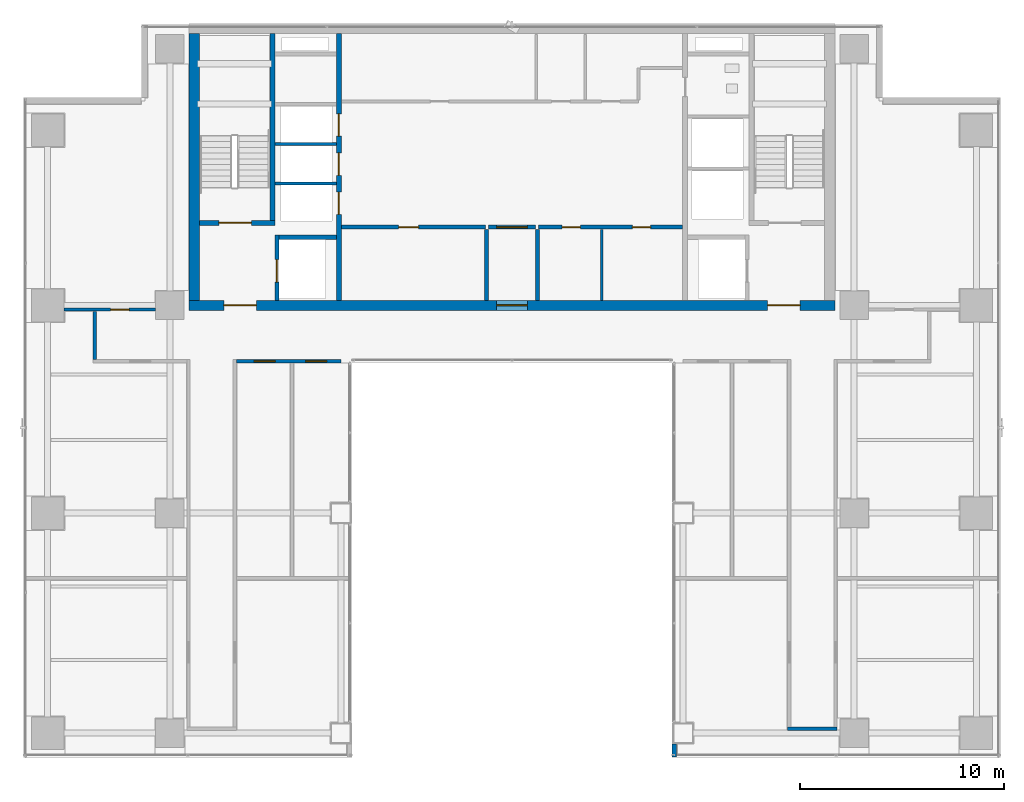
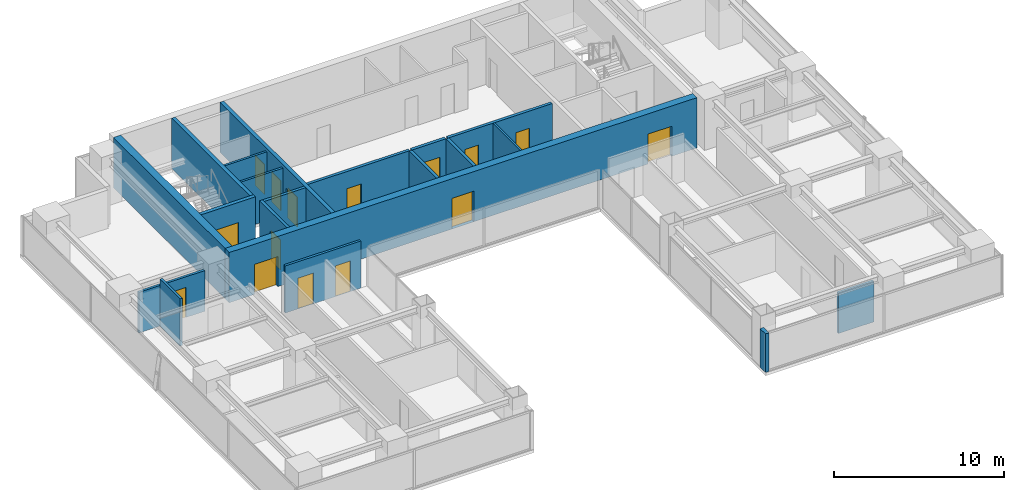
# One storey, part 24 of 29: 20 walls, 15 doors, 15 openings.
"""IFC4 building model written with IfcOpenShell, lengths in metres."""

from ifc_helpers import new_model, si_unit, direction, frame, frame_2d, origin, place, context, subcontext, project, spatial, rectangle, extrude, source, transform, mapped, material, layer, layer_set, type_object, element, fill, save


model = new_model("IFC4")

# Units and contexts
model_context = context("Model", 3, precision=1e-05, world=origin(), true_north=direction((0.0, 1.0)))
body_context = subcontext(model_context, "Body", "Model", "MODEL_VIEW")
ifc_project = project(units=[si_unit("LENGTHUNIT", "METRE"), si_unit("AREAUNIT", "SQUARE_METRE"), si_unit("VOLUMEUNIT", "CUBIC_METRE"), si_unit("PLANEANGLEUNIT", "RADIAN"), si_unit("MASSUNIT", "GRAM", prefix="KILO")], contexts=[model_context])

# Site, building, storey
site_placement = place(None, origin())
site = spatial("IfcSite", under=ifc_project, at=site_placement, CompositionType="ELEMENT")
building_placement = place(site_placement, origin())
building = spatial("IfcBuilding", under=site, at=building_placement, Name="Sumidabori Civic Tower", CompositionType="ELEMENT")
storey_placement = place(building_placement, frame((0.0, 0.0, 218.0)))
storey = spatial("IfcBuildingStorey", under=building, at=storey_placement, Name="L56", CompositionType="ELEMENT", Elevation=218.0)

# Wall
ifc_material_1 = material(Name="Concrete C50/60", Category="concrete")
ifc_layer_1 = layer(ifc_material_1, 0.199951171875, Name="Concrete C50/60")
ifc_layer_set_1 = layer_set([ifc_layer_1], Name="Concrete C50/60")
wall_type_1 = type_object("IfcWallType", Name="WL-SHAFT-200", PredefinedType="SHEAR", material=ifc_layer_set_1)
shared_shape_1 = source(origin(), body_context, "Body", "SweptSolid", [
    extrude(rectangle(XDim=2.824951171875, YDim=0.199951171875, at=frame_2d((1.41259765625, 0.0))), origin(), (0.0, 0.0, 1.0), 3.60009765625),
])
wall_1_placement = place(storey_placement, frame((-11.449951171875, 13.550048828125, 0.0), z_axis=(0.0, 0.0, 1.0), x_axis=(1.0, 0.0, 0.0)))
element("IfcWall", 1, at=wall_1_placement, inside=storey, type_object=wall_type_1, Name="Core Shear Wall L56 EL1-N", PredefinedType="SHEAR", context=body_context, shape_type="MappedRepresentation", body=[
    mapped(shared_shape_1, transform((0.0, 0.0, 0.0), x_axis=(1.0, 0.0, 0.0), y_axis=(0.0, 1.0, 0.0), z_axis=(0.0, 0.0, 1.0), scale=1.0)),
])

# Wall, openings, doors
ifc_layer_2 = layer(ifc_material_1, 0.5, Name="Concrete C50/60")
ifc_layer_set_2 = layer_set([ifc_layer_2], Name="Concrete C50/60")
wall_type_2 = type_object("IfcWallType", Name="WL-CORE-500", PredefinedType="SHEAR", material=ifc_layer_set_2)
shared_shape_2 = source(origin(), body_context, "Body", "SweptSolid", [
    extrude(rectangle(XDim=31.7001953125, YDim=0.5, at=frame_2d((15.85009765625, 0.0))), origin(), (0.0, 0.0, 1.0), 3.60009765625),
])
wall_2_placement = place(storey_placement, frame((-15.85009765625, 10.199951171875, 0.0), z_axis=(0.0, 0.0, 1.0), x_axis=(1.0, 0.0, 0.0)))
wall_2 = element("IfcWall", 2, at=wall_2_placement, inside=storey, type_object=wall_type_2, Name="Core Shear Wall L56 S", PredefinedType="SHEAR", context=body_context, shape_type="MappedRepresentation", body=[
    mapped(shared_shape_2, transform((0.0, 0.0, 0.0), x_axis=(1.0, 0.0, 0.0), y_axis=(0.0, 1.0, 0.0), z_axis=(0.0, 0.0, 1.0), scale=1.0)),
])
opening_1_placement = place(wall_2_placement, frame((1.699951171875, 0.0, 0.0)))
opening_1 = element("IfcOpeningElement", 3, at=opening_1_placement, cuts=wall_2, Name="Opening DR-FD4", PredefinedType="OPENING", context=body_context, shape_type="SweptSolid", body=[
    extrude(rectangle(XDim=1.60009765625, YDim=2.14990234375, at=frame_2d((0.800048828125, 1.074951171875))), frame((0.0, 0.261962890625, 0.0), z_axis=(0.0, -1.0, 0.0), x_axis=(1.0, 0.0, 0.0)), (0.0, 0.0, 1.0), 0.52392578125),
])
opening_2_placement = place(wall_2_placement, frame((28.39990234375, 0.0, 0.0)))
opening_2 = element("IfcOpeningElement", 4, at=opening_2_placement, cuts=wall_2, Name="Opening DR-FD4", PredefinedType="OPENING", context=body_context, shape_type="SweptSolid", body=[
    extrude(rectangle(XDim=1.60009765625, YDim=2.14990234375, at=frame_2d((0.800048828125, 1.074951171875))), frame((0.0, 0.261962890625, 0.0), z_axis=(0.0, -1.0, 0.0), x_axis=(1.0, 0.0, 0.0)), (0.0, 0.0, 1.0), 0.52392578125),
])
opening_3_placement = place(wall_2_placement, frame((15.10009765625, 0.0, 0.0)))
opening_3 = element("IfcOpeningElement", 5, at=opening_3_placement, cuts=wall_2, Name="Opening DR-FD3", PredefinedType="OPENING", context=body_context, shape_type="SweptSolid", body=[
    extrude(rectangle(XDim=1.5, YDim=2.199951171875, at=frame_2d((0.75, 1.10009765625))), frame((0.0, 0.261962890625, 0.0), z_axis=(0.0, -1.0, 0.0), x_axis=(1.0, 0.0, 0.0)), (0.0, 0.0, 1.0), 0.52392578125),
])
ifc_material_2 = material(Name="Steel SN490", Category="steel")
door_type_1 = type_object("IfcDoorType", Name="DR-FD4", OperationType="DOUBLE_DOOR_SINGLE_SWING", PredefinedType="DOOR", material=ifc_material_2)
shared_shape_3 = source(origin(), body_context, "Body", "SweptSolid", [
    extrude(rectangle(XDim=1.60009765625, YDim=2.14990234375, at=frame_2d((0.800048828125, 1.074951171875))), frame((0.0, 0.02490234375, 0.0), z_axis=(0.0, -1.0, 0.0), x_axis=(1.0, 0.0, 0.0)), (0.0, 0.0, 1.0), 0.050048828125),
])
door_1_placement = place(opening_1_placement, origin())
door_1 = element("IfcDoor", 6, at=door_1_placement, inside=storey, type_object=door_type_1, Name="Door DR:L56:ELOB-W", OperationType="DOUBLE_DOOR_SINGLE_SWING", OverallHeight=2.14990234375, OverallWidth=1.60009765625, PredefinedType="DOOR", context=body_context, shape_type="MappedRepresentation", body=[
    mapped(shared_shape_3, transform((0.0, 0.0, 0.0), x_axis=(1.0, 0.0, 0.0), y_axis=(0.0, 1.0, 0.0), z_axis=(0.0, 0.0, 1.0), scale=1.0)),
])
fill(opening_1, door_1)
door_2_placement = place(opening_2_placement, origin())
door_2 = element("IfcDoor", 7, at=door_2_placement, inside=storey, type_object=door_type_1, Name="Door DR:L56:ELOB-E", OperationType="DOUBLE_DOOR_SINGLE_SWING", OverallHeight=2.14990234375, OverallWidth=1.60009765625, PredefinedType="DOOR", context=body_context, shape_type="MappedRepresentation", body=[
    mapped(shared_shape_3, transform((0.0, 0.0, 0.0), x_axis=(1.0, 0.0, 0.0), y_axis=(0.0, 1.0, 0.0), z_axis=(0.0, 0.0, 1.0), scale=1.0)),
])
fill(opening_2, door_2)
door_type_2 = type_object("IfcDoorType", Name="DR-FD-DBL", OperationType="DOUBLE_DOOR_SINGLE_SWING", PredefinedType="DOOR", material=ifc_material_2)
shared_shape_4 = source(origin(), body_context, "Body", "SweptSolid", [
    extrude(rectangle(XDim=1.5, YDim=2.199951171875, at=frame_2d((0.75, 1.10009765625))), frame((0.0, 0.02490234375, 0.0), z_axis=(0.0, -1.0, 0.0), x_axis=(1.0, 0.0, 0.0)), (0.0, 0.0, 1.0), 0.050048828125),
])
door_3_placement = place(opening_3_placement, origin())
door_3 = element("IfcDoor", 8, at=door_3_placement, inside=storey, type_object=door_type_2, Name="Door DR:L56:THROAT-OUT", OperationType="DOUBLE_DOOR_SINGLE_SWING", OverallHeight=2.199951171875, OverallWidth=1.5, PredefinedType="DOOR", context=body_context, shape_type="MappedRepresentation", body=[
    mapped(shared_shape_4, transform((0.0, 0.0, 0.0), x_axis=(1.0, 0.0, 0.0), y_axis=(0.0, 1.0, 0.0), z_axis=(0.0, 0.0, 1.0), scale=1.0)),
])
fill(opening_3, door_3)

# Wall
shared_shape_5 = source(origin(), body_context, "Body", "SweptSolid", [
    extrude(rectangle(XDim=13.10009765625, YDim=0.5, at=frame_2d((6.550048828125, 0.0))), origin(), (0.0, 0.0, 1.0), 3.60009765625),
])
wall_3_placement = place(storey_placement, frame((-15.60009765625, 10.449951171875, 0.0), z_axis=(0.0, 0.0, 1.0), x_axis=(0.0, 1.0, 0.0)))
element("IfcWall", 9, at=wall_3_placement, inside=storey, type_object=wall_type_2, Name="Core Shear Wall L56 W", PredefinedType="SHEAR", context=body_context, shape_type="MappedRepresentation", body=[
    mapped(shared_shape_5, transform((0.0, 0.0, 0.0), x_axis=(1.0, 0.0, 0.0), y_axis=(0.0, 1.0, 0.0), z_axis=(0.0, 0.0, 1.0), scale=1.0)),
])

# Wall, openings, doors
ifc_layer_3 = layer(ifc_material_1, 0.25, Name="Concrete C50/60")
ifc_layer_set_3 = layer_set([ifc_layer_3], Name="Concrete C50/60")
wall_type_3 = type_object("IfcWallType", Name="WL-SHAFT-250", PredefinedType="SHEAR", material=ifc_layer_set_3)
shared_shape_6 = source(origin(), body_context, "Body", "SweptSolid", [
    extrude(rectangle(XDim=13.10009765625, YDim=0.25, at=frame_2d((6.550048828125, 0.0))), origin(), (0.0, 0.0, 1.0), 3.60009765625),
])
wall_4_placement = place(storey_placement, frame((-8.5, 10.449951171875, 0.0), z_axis=(0.0, 0.0, 1.0), x_axis=(0.0, 1.0, 0.0)))
wall_4 = element("IfcWall", 10, at=wall_4_placement, inside=storey, type_object=wall_type_3, Name="Core Shear Wall L56 WEB-W", PredefinedType="SHEAR", context=body_context, shape_type="MappedRepresentation", body=[
    mapped(shared_shape_6, transform((0.0, 0.0, 0.0), x_axis=(1.0, 0.0, 0.0), y_axis=(0.0, 1.0, 0.0), z_axis=(0.0, 0.0, 1.0), scale=1.0)),
])
opening_4_placement = place(wall_4_placement, frame((4.219970703125, 0.0, 0.0)))
opening_4 = element("IfcOpeningElement", 11, at=opening_4_placement, cuts=wall_4, Name="Opening LD-1", PredefinedType="OPENING", context=body_context, shape_type="SweptSolid", body=[
    extrude(rectangle(XDim=1.10009765625, YDim=2.14990234375, at=frame_2d((0.550048828125, 1.074951171875))), frame((0.0, 0.136962890625, 0.0), z_axis=(0.0, -1.0, 0.0), x_axis=(1.0, 0.0, 0.0)), (0.0, 0.0, 1.0), 0.27392578125),
])
opening_5_placement = place(wall_4_placement, frame((6.139892578125, 0.0, 0.0)))
opening_5 = element("IfcOpeningElement", 12, at=opening_5_placement, cuts=wall_4, Name="Opening LD-1", PredefinedType="OPENING", context=body_context, shape_type="SweptSolid", body=[
    extrude(rectangle(XDim=1.10009765625, YDim=2.14990234375, at=frame_2d((0.550048828125, 1.074951171875))), frame((0.0, 0.136962890625, 0.0), z_axis=(0.0, -1.0, 0.0), x_axis=(1.0, 0.0, 0.0)), (0.0, 0.0, 1.0), 0.27392578125),
])
opening_6_placement = place(wall_4_placement, frame((8.06005859375, 0.0, 0.0)))
opening_6 = element("IfcOpeningElement", 13, at=opening_6_placement, cuts=wall_4, Name="Opening LD-1", PredefinedType="OPENING", context=body_context, shape_type="SweptSolid", body=[
    extrude(rectangle(XDim=1.10009765625, YDim=2.14990234375, at=frame_2d((0.550048828125, 1.074951171875))), frame((0.0, 0.136962890625, 0.0), z_axis=(0.0, -1.0, 0.0), x_axis=(1.0, 0.0, 0.0)), (0.0, 0.0, 1.0), 0.27392578125),
])
ifc_material_3 = material(Name="Stainless Steel Hairline Finish", Category="steel")
door_type_3 = type_object("IfcDoorType", Name="DR-LD1", OperationType="DOUBLE_DOOR_SLIDING", PredefinedType="DOOR", material=ifc_material_3)
shared_shape_7 = source(origin(), body_context, "Body", "SweptSolid", [
    extrude(rectangle(XDim=1.10009765625, YDim=2.14990234375, at=frame_2d((0.550048828125, 1.074951171875))), frame((0.0, 0.02490234375, 0.0), z_axis=(0.0, -1.0, 0.0), x_axis=(1.0, 0.0, 0.0)), (0.0, 0.0, 1.0), 0.050048828125),
])
door_4_placement = place(opening_4_placement, origin())
door_4 = element("IfcDoor", 14, at=door_4_placement, inside=storey, type_object=door_type_3, Name="Door DR:L56:LD-PLH1", OperationType="DOUBLE_DOOR_SLIDING", OverallHeight=2.14990234375, OverallWidth=1.10009765625, PredefinedType="DOOR", context=body_context, shape_type="MappedRepresentation", body=[
    mapped(shared_shape_7, transform((0.0, 0.0, 0.0), x_axis=(1.0, 0.0, 0.0), y_axis=(0.0, 1.0, 0.0), z_axis=(0.0, 0.0, 1.0), scale=1.0)),
])
fill(opening_4, door_4)
door_5_placement = place(opening_5_placement, origin())
door_5 = element("IfcDoor", 15, at=door_5_placement, inside=storey, type_object=door_type_3, Name="Door DR:L56:LD-PLH2", OperationType="DOUBLE_DOOR_SLIDING", OverallHeight=2.14990234375, OverallWidth=1.10009765625, PredefinedType="DOOR", context=body_context, shape_type="MappedRepresentation", body=[
    mapped(shared_shape_7, transform((0.0, 0.0, 0.0), x_axis=(1.0, 0.0, 0.0), y_axis=(0.0, 1.0, 0.0), z_axis=(0.0, 0.0, 1.0), scale=1.0)),
])
fill(opening_5, door_5)
door_6_placement = place(opening_6_placement, origin())
door_6 = element("IfcDoor", 16, at=door_6_placement, inside=storey, type_object=door_type_3, Name="Door DR:L56:LD-PLH3", OperationType="DOUBLE_DOOR_SLIDING", OverallHeight=2.14990234375, OverallWidth=1.10009765625, PredefinedType="DOOR", context=body_context, shape_type="MappedRepresentation", body=[
    mapped(shared_shape_7, transform((0.0, 0.0, 0.0), x_axis=(1.0, 0.0, 0.0), y_axis=(0.0, 1.0, 0.0), z_axis=(0.0, 0.0, 1.0), scale=1.0)),
])
fill(opening_6, door_6)

# Wall, opening, door
shared_shape_8 = source(origin(), body_context, "Body", "SweptSolid", [
    extrude(rectangle(XDim=3.705078125, YDim=0.25, at=frame_2d((1.8525390625, 0.0))), origin(), (0.0, 0.0, 1.0), 3.60009765625),
])
wall_5_placement = place(storey_placement, frame((-15.35009765625, 14.25, 0.0), z_axis=(0.0, 0.0, 1.0), x_axis=(1.0, 0.0, 0.0)))
wall_5 = element("IfcWall", 17, at=wall_5_placement, inside=storey, type_object=wall_type_3, Name="Core Shear Wall L56 ST1-S", PredefinedType="SHEAR", context=body_context, shape_type="MappedRepresentation", body=[
    mapped(shared_shape_8, transform((0.0, 0.0, 0.0), x_axis=(1.0, 0.0, 0.0), y_axis=(0.0, 1.0, 0.0), z_axis=(0.0, 0.0, 1.0), scale=1.0)),
])
opening_7_placement = place(wall_5_placement, frame((0.949951171875, 0.0, 0.0)))
opening_7 = element("IfcOpeningElement", 18, at=opening_7_placement, cuts=wall_5, Name="Opening DR-FD4", PredefinedType="OPENING", context=body_context, shape_type="SweptSolid", body=[
    extrude(rectangle(XDim=1.60009765625, YDim=2.14990234375, at=frame_2d((0.800048828125, 1.074951171875))), frame((0.0, 0.136962890625, 0.0), z_axis=(0.0, -1.0, 0.0), x_axis=(1.0, 0.0, 0.0)), (0.0, 0.0, 1.0), 0.27392578125),
])
door_7_placement = place(opening_7_placement, origin())
door_7 = element("IfcDoor", 19, at=door_7_placement, inside=storey, type_object=door_type_1, Name="Door DR:L56:ST1", OperationType="DOUBLE_DOOR_SINGLE_SWING", OverallHeight=2.14990234375, OverallWidth=1.60009765625, PredefinedType="DOOR", context=body_context, shape_type="MappedRepresentation", body=[
    mapped(shared_shape_3, transform((0.0, 0.0, 0.0), x_axis=(1.0, 0.0, 0.0), y_axis=(0.0, 1.0, 0.0), z_axis=(0.0, 0.0, 1.0), scale=1.0)),
])
fill(opening_7, door_7)

# Wall
shared_shape_9 = source(origin(), body_context, "Body", "SweptSolid", [
    extrude(rectangle(XDim=9.175048828125, YDim=0.25, at=frame_2d((4.58740234375, 0.0))), origin(), (0.0, 0.0, 1.0), 3.60009765625),
])
wall_6_placement = place(storey_placement, frame((-11.77001953125, 14.375, 0.0), z_axis=(0.0, 0.0, 1.0), x_axis=(0.0, 1.0, 0.0)))
element("IfcWall", 20, at=wall_6_placement, inside=storey, type_object=wall_type_3, Name="Core Shear Wall L56 ST1-E", PredefinedType="SHEAR", context=body_context, shape_type="MappedRepresentation", body=[
    mapped(shared_shape_9, transform((0.0, 0.0, 0.0), x_axis=(1.0, 0.0, 0.0), y_axis=(0.0, 1.0, 0.0), z_axis=(0.0, 0.0, 1.0), scale=1.0)),
])

# Wall, opening, door
shared_shape_10 = source(origin(), body_context, "Body", "SweptSolid", [
    extrude(rectangle(XDim=3.199951171875, YDim=0.199951171875, at=frame_2d((1.60009765625, 0.0))), origin(), (0.0, 0.0, 1.0), 3.60009765625),
])
wall_7_placement = place(storey_placement, frame((-11.550048828125, 10.449951171875, 0.0), z_axis=(0.0, 0.0, 1.0), x_axis=(0.0, 1.0, 0.0)))
wall_7 = element("IfcWall", 21, at=wall_7_placement, inside=storey, type_object=wall_type_1, Name="Core Shear Wall L56 EL1-W", PredefinedType="SHEAR", context=body_context, shape_type="MappedRepresentation", body=[
    mapped(shared_shape_10, transform((0.0, 0.0, 0.0), x_axis=(1.0, 0.0, 0.0), y_axis=(0.0, 1.0, 0.0), z_axis=(0.0, 0.0, 1.0), scale=1.0)),
])
opening_8_placement = place(wall_7_placement, frame((0.89990234375, 0.0, 0.0)))
opening_8 = element("IfcOpeningElement", 22, at=opening_8_placement, cuts=wall_7, Name="Opening LD-2", PredefinedType="OPENING", context=body_context, shape_type="SweptSolid", body=[
    extrude(rectangle(XDim=1.10009765625, YDim=2.14990234375, at=frame_2d((0.550048828125, 1.074951171875))), frame((0.0, 0.11181640625, 0.0), z_axis=(0.0, -1.0, 0.0), x_axis=(1.0, 0.0, 0.0)), (0.0, 0.0, 1.0), 0.223876953125),
])
door_type_4 = type_object("IfcDoorType", Name="DR-LD2", OperationType="DOUBLE_DOOR_SLIDING", PredefinedType="DOOR", material=ifc_material_3)
door_8_placement = place(opening_8_placement, origin())
door_8 = element("IfcDoor", 23, at=door_8_placement, inside=storey, type_object=door_type_4, Name="Door DR:L56:LD-EL1", OperationType="DOUBLE_DOOR_SLIDING", OverallHeight=2.14990234375, OverallWidth=1.10009765625, PredefinedType="DOOR", context=body_context, shape_type="MappedRepresentation", body=[
    mapped(shared_shape_7, transform((0.0, 0.0, 0.0), x_axis=(1.0, 0.0, 0.0), y_axis=(0.0, 1.0, 0.0), z_axis=(0.0, 0.0, 1.0), scale=1.0)),
])
fill(opening_8, door_8)

# Walls
ifc_material_4 = material(Name="Precast concrete C40/50", Category="concrete")
ifc_layer_4 = layer(ifc_material_4, 0.300048828125, Name="Precast concrete C40/50")
ifc_layer_set_4 = layer_set([ifc_layer_4], Name="Precast concrete C40/50")
wall_type_4 = type_object("IfcWallType", Name="WL-EXT-POD300", PredefinedType="STANDARD", material=ifc_layer_set_4)
shared_shape_11 = source(origin(), body_context, "Body", "SweptSolid", [
    extrude(rectangle(XDim=0.639892578125, YDim=0.239990234375, at=frame_2d((0.31982421875, 0.0))), origin(), (0.0, 0.0, 1.0), 2.760009765625),
])
wall_8_placement = place(storey_placement, frame((7.969970703125, -11.330078125, 0.0), z_axis=(0.0, 0.0, 1.0), x_axis=(0.0, -1.0, 0.0)))
element("IfcWall", 24, at=wall_8_placement, inside=storey, type_object=wall_type_4, Name="Perimeter Pier Spandrel L56-08", PredefinedType="STANDARD", context=body_context, shape_type="MappedRepresentation", body=[
    mapped(shared_shape_11, transform((0.0, 0.0, 0.0), x_axis=(1.0, 0.0, 0.0), y_axis=(0.0, 1.0, 0.0), z_axis=(0.0, 0.0, 1.0), scale=1.0)),
])
ifc_material_5 = material(Name="Gypsum Plasterboard Acoustic Partition")
ifc_layer_5 = layer(ifc_material_5, 0.14990234375, Name="Gypsum Plasterboard Acoustic Partition")
ifc_layer_set_5 = layer_set([ifc_layer_5], Name="Gypsum Plasterboard Acoustic Partition")
wall_type_5 = type_object("IfcWallType", Name="WL-PART-150", PredefinedType="PARTITIONING", material=ifc_layer_set_5)
shared_shape_12 = source(origin(), body_context, "Body", "SweptSolid", [
    extrude(rectangle(XDim=3.010009765625, YDim=0.14990234375, at=frame_2d((1.5048828125, 0.0))), origin(), (0.0, 0.0, 1.0), 3.3798828125),
])
for number, where, z_axis, x_axis, name in (
    (25, (-11.639892578125, 16.199951171875, 0.0), (0.0, 0.0, 1.0), (1.0, 0.0, 0.0), "Interior Partition WL:L56:DIV-PLH1"),
    (26, (-11.639892578125, 18.1201171875, 0.0), (0.0, 0.0, 1.0), (1.0, 0.0, 0.0), "Interior Partition WL:L56:DIV-PLH2"),
):
    element("IfcWall", number, at=place(storey_placement, frame(where, z_axis=z_axis, x_axis=x_axis)), inside=storey, type_object=wall_type_5, Name=name, PredefinedType="PARTITIONING", context=body_context, shape_type="MappedRepresentation", body=[
        mapped(shared_shape_12, transform((0.0, 0.0, 0.0), x_axis=(1.0, 0.0, 0.0), y_axis=(0.0, 1.0, 0.0), z_axis=(0.0, 0.0, 1.0), scale=1.0)),
    ])

# Wall, opening, door
ifc_material_6 = material(Name="Gypsum Plasterboard Fire Partition")
ifc_layer_6 = layer(ifc_material_6, 0.199951171875, Name="Gypsum Plasterboard Fire Partition")
ifc_layer_set_6 = layer_set([ifc_layer_6], Name="Gypsum Plasterboard Fire Partition")
wall_type_6 = type_object("IfcWallType", Name="WL-PART-FIRE", PredefinedType="PARTITIONING", material=ifc_layer_set_6)
shared_shape_13 = source(origin(), body_context, "Body", "SweptSolid", [
    extrude(rectangle(XDim=7.070068359375, YDim=0.199951171875, at=frame_2d((3.53515625, 0.0))), origin(), (0.0, 0.0, 1.0), 3.3798828125),
])
wall_9_placement = place(storey_placement, frame((-8.3701171875, 14.050048828125, 0.0), z_axis=(0.0, 0.0, 1.0), x_axis=(1.0, 0.0, 0.0)))
wall_9 = element("IfcWall", 27, at=wall_9_placement, inside=storey, type_object=wall_type_6, Name="Interior Partition WL:L56:CBAND-SW", PredefinedType="PARTITIONING", context=body_context, shape_type="MappedRepresentation", body=[
    mapped(shared_shape_13, transform((0.0, 0.0, 0.0), x_axis=(1.0, 0.0, 0.0), y_axis=(0.0, 1.0, 0.0), z_axis=(0.0, 0.0, 1.0), scale=1.0)),
])
opening_9_placement = place(wall_9_placement, frame((2.800048828125, 0.0, 0.0)))
opening_9 = element("IfcOpeningElement", 28, at=opening_9_placement, cuts=wall_9, Name="Opening DR-3", PredefinedType="OPENING", context=body_context, shape_type="SweptSolid", body=[
    extrude(rectangle(XDim=0.97998046875, YDim=2.14990234375, at=frame_2d((0.489990234375, 1.074951171875))), frame((0.0, 0.11181640625, 0.0), z_axis=(0.0, -1.0, 0.0), x_axis=(1.0, 0.0, 0.0)), (0.0, 0.0, 1.0), 0.223876953125),
])
ifc_material_7 = material(Name="Japanese Hinoki Timber", Category="wood")
door_type_5 = type_object("IfcDoorType", Name="DR-INT-980", OperationType="NOTDEFINED", PredefinedType="DOOR", material=ifc_material_7)
shared_shape_14 = source(origin(), body_context, "Body", "SweptSolid", [
    extrude(rectangle(XDim=0.97998046875, YDim=2.14990234375, at=frame_2d((0.489990234375, 1.074951171875))), frame((0.0, 0.02490234375, 0.0), z_axis=(0.0, -1.0, 0.0), x_axis=(1.0, 0.0, 0.0)), (0.0, 0.0, 1.0), 0.050048828125),
])
door_9_placement = place(opening_9_placement, origin())
door_9 = element("IfcDoor", 29, at=door_9_placement, inside=storey, type_object=door_type_5, Name="Door DR:L56:REC-B1", OperationType="SINGLE_SWING_LEFT", OverallHeight=2.14990234375, OverallWidth=0.97998046875, PredefinedType="DOOR", context=body_context, shape_type="MappedRepresentation", body=[
    mapped(shared_shape_14, transform((0.0, 0.0, 0.0), x_axis=(1.0, 0.0, 0.0), y_axis=(0.0, 1.0, 0.0), z_axis=(0.0, 0.0, 1.0), scale=1.0)),
])
fill(opening_9, door_9)

# Wall, openings, doors
wall_10_placement = place(storey_placement, frame((1.300048828125, 14.050048828125, 0.0), z_axis=(0.0, 0.0, 1.0), x_axis=(1.0, 0.0, 0.0)))
wall_10 = element("IfcWall", 30, at=wall_10_placement, inside=storey, type_object=wall_type_6, Name="Interior Partition WL:L56:CBAND-SE", PredefinedType="PARTITIONING", context=body_context, shape_type="MappedRepresentation", body=[
    mapped(shared_shape_13, transform((0.0, 0.0, 0.0), x_axis=(1.0, 0.0, 0.0), y_axis=(0.0, 1.0, 0.0), z_axis=(0.0, 0.0, 1.0), scale=1.0)),
])
opening_10_placement = place(wall_10_placement, frame((1.159912109375, 0.0, 0.0)))
opening_10 = element("IfcOpeningElement", 31, at=opening_10_placement, cuts=wall_10, Name="Opening DR-1", PredefinedType="OPENING", context=body_context, shape_type="SweptSolid", body=[
    extrude(rectangle(XDim=0.89990234375, YDim=2.14990234375, at=frame_2d((0.449951171875, 1.074951171875))), frame((0.0, 0.11181640625, 0.0), z_axis=(0.0, -1.0, 0.0), x_axis=(1.0, 0.0, 0.0)), (0.0, 0.0, 1.0), 0.223876953125),
])
opening_11_placement = place(wall_10_placement, frame((4.610107421875, 0.0, 0.0)))
opening_11 = element("IfcOpeningElement", 32, at=opening_11_placement, cuts=wall_10, Name="Opening DR-1", PredefinedType="OPENING", context=body_context, shape_type="SweptSolid", body=[
    extrude(rectangle(XDim=0.89990234375, YDim=2.14990234375, at=frame_2d((0.449951171875, 1.074951171875))), frame((0.0, 0.11181640625, 0.0), z_axis=(0.0, -1.0, 0.0), x_axis=(1.0, 0.0, 0.0)), (0.0, 0.0, 1.0), 0.223876953125),
])
door_type_6 = type_object("IfcDoorType", Name="DR-INT-900", OperationType="NOTDEFINED", PredefinedType="DOOR", material=ifc_material_7)
shared_shape_15 = source(origin(), body_context, "Body", "SweptSolid", [
    extrude(rectangle(XDim=0.89990234375, YDim=2.14990234375, at=frame_2d((0.449951171875, 1.074951171875))), frame((0.0, 0.02490234375, 0.0), z_axis=(0.0, -1.0, 0.0), x_axis=(1.0, 0.0, 0.0)), (0.0, 0.0, 1.0), 0.050048828125),
])
door_10_placement = place(opening_10_placement, origin())
door_10 = element("IfcDoor", 33, at=door_10_placement, inside=storey, type_object=door_type_6, Name="Door DR:L56:REC-B2A", OperationType="SINGLE_SWING_LEFT", OverallHeight=2.14990234375, OverallWidth=0.89990234375, PredefinedType="DOOR", context=body_context, shape_type="MappedRepresentation", body=[
    mapped(shared_shape_15, transform((0.0, 0.0, 0.0), x_axis=(1.0, 0.0, 0.0), y_axis=(0.0, 1.0, 0.0), z_axis=(0.0, 0.0, 1.0), scale=1.0)),
])
fill(opening_10, door_10)
door_11_placement = place(opening_11_placement, origin())
door_11 = element("IfcDoor", 34, at=door_11_placement, inside=storey, type_object=door_type_6, Name="Door DR:L56:REC-B2B", OperationType="SINGLE_SWING_RIGHT", OverallHeight=2.14990234375, OverallWidth=0.89990234375, PredefinedType="DOOR", context=body_context, shape_type="MappedRepresentation", body=[
    mapped(shared_shape_15, transform((0.0, 0.0, 0.0), x_axis=(1.0, 0.0, 0.0), y_axis=(0.0, 1.0, 0.0), z_axis=(0.0, 0.0, 1.0), scale=1.0)),
])
fill(opening_11, door_11)

# Wall, opening, door
shared_shape_16 = source(origin(), body_context, "Body", "SweptSolid", [
    extrude(rectangle(XDim=2.2998046875, YDim=0.199951171875, at=frame_2d((1.14990234375, 0.0))), origin(), (0.0, 0.0, 1.0), 3.3798828125),
])
wall_11_placement = place(storey_placement, frame((-1.14990234375, 14.050048828125, 0.0), z_axis=(0.0, 0.0, 1.0), x_axis=(1.0, 0.0, 0.0)))
wall_11 = element("IfcWall", 35, at=wall_11_placement, inside=storey, type_object=wall_type_6, Name="Interior Partition WL:L56:THROAT-N", PredefinedType="PARTITIONING", context=body_context, shape_type="MappedRepresentation", body=[
    mapped(shared_shape_16, transform((0.0, 0.0, 0.0), x_axis=(1.0, 0.0, 0.0), y_axis=(0.0, 1.0, 0.0), z_axis=(0.0, 0.0, 1.0), scale=1.0)),
])
opening_12_placement = place(wall_11_placement, frame((0.39990234375, 0.0, 0.0)))
opening_12 = element("IfcOpeningElement", 36, at=opening_12_placement, cuts=wall_11, Name="Opening DR-FD3", PredefinedType="OPENING", context=body_context, shape_type="SweptSolid", body=[
    extrude(rectangle(XDim=1.5, YDim=2.199951171875, at=frame_2d((0.75, 1.10009765625))), frame((0.0, 0.11181640625, 0.0), z_axis=(0.0, -1.0, 0.0), x_axis=(1.0, 0.0, 0.0)), (0.0, 0.0, 1.0), 0.223876953125),
])
door_12_placement = place(opening_12_placement, origin())
door_12 = element("IfcDoor", 37, at=door_12_placement, inside=storey, type_object=door_type_2, Name="Door DR:L56:THROAT-IN", OperationType="DOUBLE_DOOR_SINGLE_SWING", OverallHeight=2.199951171875, OverallWidth=1.5, PredefinedType="DOOR", context=body_context, shape_type="MappedRepresentation", body=[
    mapped(shared_shape_4, transform((0.0, 0.0, 0.0), x_axis=(1.0, 0.0, 0.0), y_axis=(0.0, 1.0, 0.0), z_axis=(0.0, 0.0, 1.0), scale=1.0)),
])
fill(opening_12, door_12)

# Walls
shared_shape_17 = source(origin(), body_context, "Body", "SweptSolid", [
    extrude(rectangle(XDim=3.489990234375, YDim=0.199951171875, at=frame_2d((1.7451171875, 0.0))), origin(), (0.0, 0.0, 1.0), 3.3798828125),
])
for number, where, z_axis, x_axis, name in (
    (38, (-1.25, 10.449951171875, 0.0), (0.0, 0.0, 1.0), (0.0, 1.0, 0.0), "Interior Partition WL:L56:THROAT-W"),
    (39, (1.25, 10.449951171875, 0.0), (0.0, 0.0, 1.0), (0.0, 1.0, 0.0), "Interior Partition WL:L56:THROAT-E"),
):
    element("IfcWall", number, at=place(storey_placement, frame(where, z_axis=z_axis, x_axis=x_axis)), inside=storey, type_object=wall_type_6, Name=name, PredefinedType="PARTITIONING", context=body_context, shape_type="MappedRepresentation", body=[
        mapped(shared_shape_17, transform((0.0, 0.0, 0.0), x_axis=(1.0, 0.0, 0.0), y_axis=(0.0, 1.0, 0.0), z_axis=(0.0, 0.0, 1.0), scale=1.0)),
    ])
ifc_layer_7 = layer(ifc_material_5, 0.1201171875, Name="Gypsum Plasterboard Acoustic Partition")
ifc_layer_set_7 = layer_set([ifc_layer_7], Name="Gypsum Plasterboard Acoustic Partition")
wall_type_7 = type_object("IfcWallType", Name="WL-PART-120", PredefinedType="PARTITIONING", material=ifc_layer_set_7)
shared_shape_18 = source(origin(), body_context, "Body", "SweptSolid", [
    extrude(rectangle(XDim=3.489990234375, YDim=0.1201171875, at=frame_2d((1.7451171875, 0.0))), origin(), (0.0, 0.0, 1.0), 3.3798828125),
])
wall_12_placement = place(storey_placement, frame((4.39990234375, 10.449951171875, 0.0), z_axis=(0.0, 0.0, 1.0), x_axis=(0.0, 1.0, 0.0)))
element("IfcWall", 40, at=wall_12_placement, inside=storey, type_object=wall_type_7, Name="Interior Partition WL:L56:REC-B2-SP", PredefinedType="PARTITIONING", context=body_context, shape_type="MappedRepresentation", body=[
    mapped(shared_shape_18, transform((0.0, 0.0, 0.0), x_axis=(1.0, 0.0, 0.0), y_axis=(0.0, 1.0, 0.0), z_axis=(0.0, 0.0, 1.0), scale=1.0)),
])

# Wall, opening, door
ifc_layer_8 = layer(ifc_material_5, 0.1650390625, Name="Gypsum Plasterboard Acoustic Partition")
ifc_layer_set_8 = layer_set([ifc_layer_8], Name="Gypsum Plasterboard Acoustic Partition")
wall_type_8 = type_object("IfcWallType", Name="WL-PART-165", PredefinedType="PARTITIONING", material=ifc_layer_set_8)
shared_shape_19 = source(origin(), body_context, "Body", "SweptSolid", [
    extrude(rectangle(XDim=4.47998046875, YDim=0.1650390625, at=frame_2d((2.239990234375, 0.0))), origin(), (0.0, 0.0, 1.0), 2.9150390625),
])
wall_13_placement = place(storey_placement, frame((-21.989990234375, 10.0, 0.0), z_axis=(0.0, 0.0, 1.0), x_axis=(1.0, 0.0, 0.0)))
wall_13 = element("IfcWall", 41, at=wall_13_placement, inside=storey, type_object=wall_type_8, Name="Interior Partition WL:L56:FLK-NW", PredefinedType="PARTITIONING", context=body_context, shape_type="MappedRepresentation", body=[
    mapped(shared_shape_19, transform((0.0, 0.0, 0.0), x_axis=(1.0, 0.0, 0.0), y_axis=(0.0, 1.0, 0.0), z_axis=(0.0, 0.0, 1.0), scale=1.0)),
])
opening_13_placement = place(wall_13_placement, frame((2.284912109375, 0.0, 0.0)))
opening_13 = element("IfcOpeningElement", 42, at=opening_13_placement, cuts=wall_13, Name="Opening DR-1", PredefinedType="OPENING", context=body_context, shape_type="SweptSolid", body=[
    extrude(rectangle(XDim=0.89990234375, YDim=2.14990234375, at=frame_2d((0.449951171875, 1.074951171875))), frame((0.0, 0.094482421875, 0.0), z_axis=(0.0, -1.0, 0.0), x_axis=(1.0, 0.0, 0.0)), (0.0, 0.0, 1.0), 0.18896484375),
])
door_13_placement = place(opening_13_placement, origin())
door_13 = element("IfcDoor", 43, at=door_13_placement, inside=storey, type_object=door_type_6, Name="Door DR:L56:FLK-NW", OperationType="SINGLE_SWING_LEFT", OverallHeight=2.14990234375, OverallWidth=0.89990234375, PredefinedType="DOOR", context=body_context, shape_type="MappedRepresentation", body=[
    mapped(shared_shape_15, transform((0.0, 0.0, 0.0), x_axis=(1.0, 0.0, 0.0), y_axis=(0.0, 1.0, 0.0), z_axis=(0.0, 0.0, 1.0), scale=1.0)),
])
fill(opening_13, door_13)

# Wall, openings, doors
shared_shape_20 = source(origin(), body_context, "Body", "SweptSolid", [
    extrude(rectangle(XDim=5.135009765625, YDim=0.1650390625, at=frame_2d((2.5673828125, 0.0))), origin(), (0.0, 0.0, 1.0), 3.3798828125),
])
wall_14_placement = place(storey_placement, frame((-13.534912109375, 7.467529296875, 0.0), z_axis=(0.0, 0.0, 1.0), x_axis=(1.0, 0.0, 0.0)))
wall_14 = element("IfcWall", 44, at=wall_14_placement, inside=storey, type_object=wall_type_8, Name="Interior Partition WL:L56:CORR-SWI", PredefinedType="PARTITIONING", context=body_context, shape_type="MappedRepresentation", body=[
    mapped(shared_shape_20, transform((0.0, 0.0, 0.0), x_axis=(1.0, 0.0, 0.0), y_axis=(0.0, 1.0, 0.0), z_axis=(0.0, 0.0, 1.0), scale=1.0)),
])
opening_14_placement = place(wall_14_placement, frame((3.396240234375, 0.0, 0.0)))
opening_14 = element("IfcOpeningElement", 45, at=opening_14_placement, cuts=wall_14, Name="Opening DR-4", PredefinedType="OPENING", context=body_context, shape_type="SweptSolid", body=[
    extrude(rectangle(XDim=1.0400390625, YDim=2.199951171875, at=frame_2d((0.52001953125, 1.10009765625))), frame((0.0, 0.094482421875, 0.0), z_axis=(0.0, -1.0, 0.0), x_axis=(1.0, 0.0, 0.0)), (0.0, 0.0, 1.0), 0.18896484375),
])
opening_15_placement = place(wall_14_placement, frame((0.8662109375, 0.0, 0.0)))
opening_15 = element("IfcOpeningElement", 46, at=opening_15_placement, cuts=wall_14, Name="Opening DR-4", PredefinedType="OPENING", context=body_context, shape_type="SweptSolid", body=[
    extrude(rectangle(XDim=1.0400390625, YDim=2.199951171875, at=frame_2d((0.52001953125, 1.10009765625))), frame((0.0, 0.094482421875, 0.0), z_axis=(0.0, -1.0, 0.0), x_axis=(1.0, 0.0, 0.0)), (0.0, 0.0, 1.0), 0.18896484375),
])
door_type_7 = type_object("IfcDoorType", Name="DR-INT-1040", OperationType="NOTDEFINED", PredefinedType="DOOR", material=ifc_material_7)
shared_shape_21 = source(origin(), body_context, "Body", "SweptSolid", [
    extrude(rectangle(XDim=1.0400390625, YDim=2.199951171875, at=frame_2d((0.52001953125, 1.10009765625))), frame((0.0, 0.02490234375, 0.0), z_axis=(0.0, -1.0, 0.0), x_axis=(1.0, 0.0, 0.0)), (0.0, 0.0, 1.0), 0.050048828125),
])
door_14_placement = place(opening_14_placement, origin())
door_14 = element("IfcDoor", 47, at=door_14_placement, inside=storey, type_object=door_type_7, Name="Door DR:L56:D05", OperationType="SINGLE_SWING_LEFT", OverallHeight=2.199951171875, OverallWidth=1.0400390625, PredefinedType="DOOR", context=body_context, shape_type="MappedRepresentation", body=[
    mapped(shared_shape_21, transform((0.0, 0.0, 0.0), x_axis=(1.0, 0.0, 0.0), y_axis=(0.0, 1.0, 0.0), z_axis=(0.0, 0.0, 1.0), scale=1.0)),
])
fill(opening_14, door_14)
door_15_placement = place(opening_15_placement, origin())
door_15 = element("IfcDoor", 48, at=door_15_placement, inside=storey, type_object=door_type_7, Name="Door DR:L56:D07", OperationType="SINGLE_SWING_LEFT", OverallHeight=2.199951171875, OverallWidth=1.0400390625, PredefinedType="DOOR", context=body_context, shape_type="MappedRepresentation", body=[
    mapped(shared_shape_21, transform((0.0, 0.0, 0.0), x_axis=(1.0, 0.0, 0.0), y_axis=(0.0, 1.0, 0.0), z_axis=(0.0, 0.0, 1.0), scale=1.0)),
])
fill(opening_15, door_15)

# Walls
shared_shape_22 = source(origin(), body_context, "Body", "SweptSolid", [
    extrude(rectangle(XDim=2.43017578125, YDim=0.1650390625, at=frame_2d((1.215087890625, 0.0))), origin(), (0.0, 0.0, 1.0), 2.9150390625),
])
wall_15_placement = place(storey_placement, frame((13.534912109375, -10.58251953125, 0.0), z_axis=(0.0, 0.0, 1.0), x_axis=(1.0, 0.0, 0.0)))
element("IfcWall", 49, at=wall_15_placement, inside=storey, type_object=wall_type_8, Name="Interior Partition WL:L56:CORR-CAP-E", PredefinedType="PARTITIONING", context=body_context, shape_type="MappedRepresentation", body=[
    mapped(shared_shape_22, transform((0.0, 0.0, 0.0), x_axis=(1.0, 0.0, 0.0), y_axis=(0.0, 1.0, 0.0), z_axis=(0.0, 0.0, 1.0), scale=1.0)),
])
shared_shape_23 = source(origin(), body_context, "Body", "SweptSolid", [
    extrude(rectangle(XDim=2.357666015625, YDim=0.1650390625, at=frame_2d((1.1787109375, 0.0))), origin(), (0.0, 0.0, 1.0), 3.3798828125),
])
wall_16_placement = place(storey_placement, frame((-20.482421875, 7.554931640625, 0.0), z_axis=(0.0, 0.0, 1.0), x_axis=(0.0, 1.0, 0.0)))
element("IfcWall", 50, at=wall_16_placement, inside=storey, type_object=wall_type_8, Name="Interior Partition WL:L56:CORR-VNW", PredefinedType="PARTITIONING", context=body_context, shape_type="MappedRepresentation", body=[
    mapped(shared_shape_23, transform((0.0, 0.0, 0.0), x_axis=(1.0, 0.0, 0.0), y_axis=(0.0, 1.0, 0.0), z_axis=(0.0, 0.0, 1.0), scale=1.0)),
])

save(model, "model.ifc")
